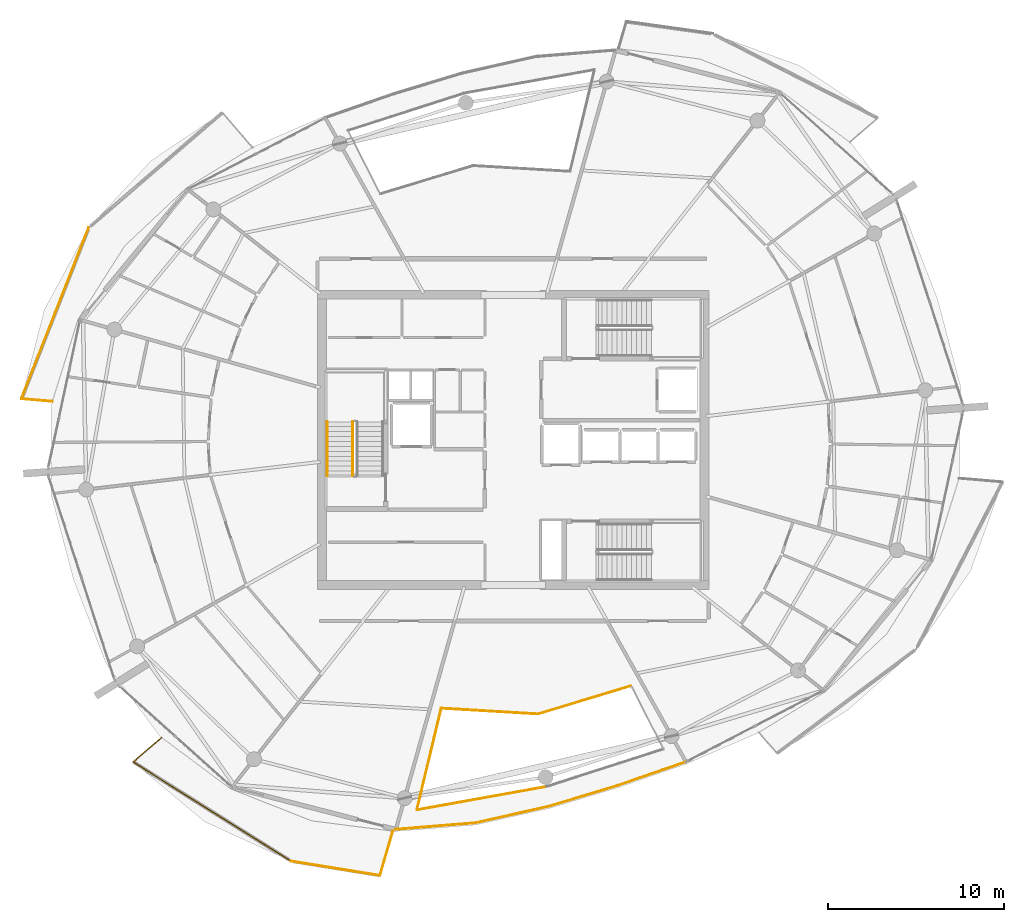
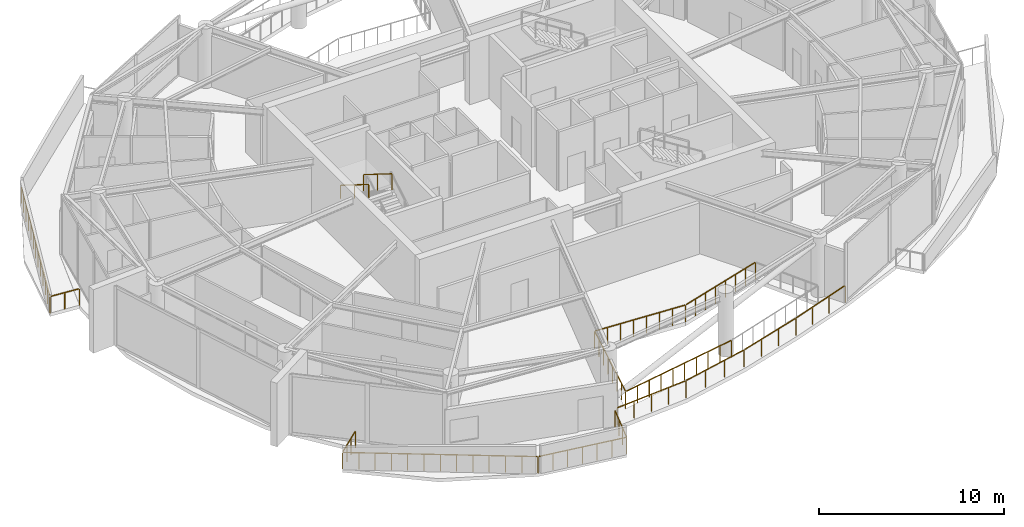
# One storey, part 18 of 22: 13 railings.
"""IFC4 building model written with IfcOpenShell, lengths in metres."""

import ifcopenshell
import ifcopenshell.guid

model = None  # the IFC model being written
_history = None  # IfcOwnerHistory: only IFC2X3 demands one
_inside = {}  # id of a spatial element -> (the spatial element, [elements in it])
_under = {}  # id of a project, library or spatial element -> (it, [spatial elements below it])
_declared = {}  # id of a project -> (the project, [libraries it declares])
_typed = {}  # id of a type object -> (the type object, [elements of that type])
_made_of = {}  # id of a material, layer set ... -> (it, [elements and type objects made of it])


def new_model(schema):
    """Start an empty IFC model of exactly this schema.

    Asked for "IFC4X3", IfcOpenShell would pick the latest addendum, in which some entities
    have other attributes; the version numbers below select the first issue.
    IFC2X3 requires an IfcOwnerHistory on every rooted entity: one is made here for all.
    """
    global model, _history
    if schema == "IFC4X3":
        model = ifcopenshell.file(schema_version=(4, 3, 0, 0))
    else:
        model = ifcopenshell.file(schema=schema)
    _inside.clear()
    _under.clear()
    _declared.clear()
    _typed.clear()
    _made_of.clear()
    _history = None
    if model.schema == "IFC2X3":
        org = make("IfcOrganization", Name="unknown")
        user = make(
            "IfcPersonAndOrganization",
            ThePerson=make("IfcPerson", FamilyName="unknown"),
            TheOrganization=org,
        )
        app = make(
            "IfcApplication",
            ApplicationDeveloper=org,
            Version="unknown",
            ApplicationFullName="unknown",
            ApplicationIdentifier="unknown",
        )
        _history = make(
            "IfcOwnerHistory",
            OwningUser=user,
            OwningApplication=app,
            ChangeAction="ADDED",
            CreationDate=0,
        )
    return model


def make(cls, **values):
    """One entity of the class cls with the attributes given. An attribute that is None is left unset."""
    return model.create_entity(
        cls, **{name: value for name, value in values.items() if value is not None}
    )


def rooted(cls, **values):
    """An entity with a GlobalId (a new one), such as an element, a storey or a relation."""
    return make(cls, GlobalId=ifcopenshell.guid.new(), OwnerHistory=_history, **values)


def si_unit(unit_type, name, prefix=None):
    """IfcSIUnit, for example si_unit("LENGTHUNIT", "METRE", prefix="MILLI")."""
    return make("IfcSIUnit", UnitType=unit_type, Prefix=prefix, Name=name)


def assignment(units):
    """IfcUnitAssignment: the units of a project."""
    return None if units is None else make("IfcUnitAssignment", Units=units)


def point(xyz):
    """IfcCartesianPoint."""
    return None if xyz is None else make("IfcCartesianPoint", Coordinates=xyz)


def direction(xyz):
    """IfcDirection."""
    return None if xyz is None else make("IfcDirection", DirectionRatios=xyz)


def frame(location, z_axis=None, x_axis=None):
    """IfcAxis2Placement3D, a coordinate frame: its origin and axes. An axis left out is left unset."""
    return make(
        "IfcAxis2Placement3D",
        Location=point(location),
        Axis=direction(z_axis),
        RefDirection=direction(x_axis),
    )


def frame_2d(location, x_axis=None):
    """IfcAxis2Placement2D, a coordinate frame in the plane: its origin and x axis."""
    return make(
        "IfcAxis2Placement2D", Location=point(location), RefDirection=direction(x_axis)
    )


def origin():
    """The frame at (0, 0, 0) with its axes left unset."""
    return frame((0.0, 0.0, 0.0))


def origin_2d():
    """The frame at (0, 0) in the plane with its x axis left unset."""
    return frame_2d((0.0, 0.0))


def place(relative_to, where):
    """IfcLocalPlacement: puts the frame where relative to a parent placement (None: the world)."""
    return make(
        "IfcLocalPlacement", PlacementRelTo=relative_to, RelativePlacement=where
    )


def context(
    kind, dimensions, precision=None, world=None, true_north=None, identifier=None
):
    """IfcGeometricRepresentationContext, for example the 3D "Model" context."""
    return make(
        "IfcGeometricRepresentationContext",
        ContextIdentifier=identifier,
        ContextType=kind,
        CoordinateSpaceDimension=dimensions,
        Precision=precision,
        WorldCoordinateSystem=world,
        TrueNorth=true_north,
    )


def subcontext(parent, identifier, kind, view, scale=None):
    """IfcGeometricRepresentationSubContext, for example "Body" below "Model"."""
    return make(
        "IfcGeometricRepresentationSubContext",
        ContextIdentifier=identifier,
        ContextType=kind,
        ParentContext=parent,
        TargetScale=scale,
        TargetView=view,
    )


def project(units=None, contexts=None):
    """IfcProject with its units and contexts."""
    return rooted(
        "IfcProject",
        Name="project",
        RepresentationContexts=contexts,
        UnitsInContext=assignment(units),
    )


def spatial(cls, under=None, at=None, **own):
    """A site, building, storey or space (cls), placed at a placement, below another one or the project."""
    s = rooted(cls, ObjectPlacement=at, **own)
    if under is not None:
        _under.setdefault(under.id(), (under, []))[1].append(s)
    return s


def profile(cls, at=None, kind="AREA", **sizes):
    """A parametric profile (cls). Its sizes go by their IFC names, for example OverallWidth=200.0."""
    return make(cls, ProfileType=kind, Position=at, **sizes)


def rectangle(**sizes):
    """IfcRectangleProfileDef."""
    return profile("IfcRectangleProfileDef", **sizes)


def extrude(swept, where, along, depth):
    """IfcExtrudedAreaSolid: the profile swept, set in the frame where, extruded along a direction by depth."""
    return make(
        "IfcExtrudedAreaSolid",
        SweptArea=swept,
        Position=where,
        ExtrudedDirection=direction(along),
        Depth=depth,
    )


def shape(context_of_items, identifier, shape_type, items):
    """IfcShapeRepresentation: the items that make up one representation, for example the "Body"."""
    return make(
        "IfcShapeRepresentation",
        ContextOfItems=context_of_items,
        RepresentationIdentifier=identifier,
        RepresentationType=shape_type,
        Items=items,
    )


def material(Name=None, Category=None):
    """IfcMaterial."""
    return make("IfcMaterial", Name=Name, Category=Category)


def made_of(thing, what):
    """Note that an element or type object is made of a material, layer set ...; save() writes the relation."""
    if what is not None:
        _made_of.setdefault(what.id(), (what, []))[1].append(thing)
    return thing


def type_object(cls, material=None, **own):
    """A type object (cls), such as IfcWallType, which elements share."""
    return made_of(rooted(cls, **own), material)


def element(
    cls,
    number,
    at=None,
    inside=None,
    cuts=None,
    type_object=None,
    material=None,
    context=None,
    identifier="Body",
    shape_type=None,
    held_by="IfcProductDefinitionShape",
    body=None,
    shapes=None,
    **own,
):
    """One element of the class cls, such as IfcWall. Its Tag is "e" and its number.

    at: its placement. inside: the storey or other place that contains it. cuts: it is an
    opening in that element (IfcRelVoidsElement). A single representation is given by context,
    identifier, shape_type and body (its items); several are given by shapes. held_by: the class
    of the entity that holds the representations. save() writes the other relations.
    """
    e = rooted(cls, Tag="e%d" % number, ObjectPlacement=at, **own)
    if body is not None:
        shapes = [shape(context, identifier, shape_type, body)]
    if shapes is not None:
        e.Representation = make(held_by, Representations=shapes)
    if inside is not None:
        _inside.setdefault(inside.id(), (inside, []))[1].append(e)
    if cuts is not None:
        rooted(
            "IfcRelVoidsElement", RelatingBuildingElement=cuts, RelatedOpeningElement=e
        )
    if type_object is not None:
        _typed.setdefault(type_object.id(), (type_object, []))[1].append(e)
    return made_of(e, material)


def aggregate(whole, parts):
    """IfcRelAggregates: a whole, such as a stair, and the parts it consists of."""
    return rooted("IfcRelAggregates", RelatingObject=whole, RelatedObjects=parts)


def save(model, path):
    """Write the relations noted so far, then the file.

    IfcRelAggregates (storeys below a building ...), IfcRelContainedInSpatialStructure (elements
    in a storey), IfcRelDefinesByType, IfcRelAssociatesMaterial and IfcRelDeclares: one each for
    every whole, place, type object, material and project.
    """
    for whole, parts in _under.values():
        aggregate(whole, parts)
    for where, things in _inside.values():
        rooted(
            "IfcRelContainedInSpatialStructure",
            RelatedElements=things,
            RelatingStructure=where,
        )
    for kind, things in _typed.values():
        rooted("IfcRelDefinesByType", RelatedObjects=things, RelatingType=kind)
    for what, things in _made_of.values():
        rooted("IfcRelAssociatesMaterial", RelatedObjects=things, RelatingMaterial=what)
    for by, libraries in _declared.values():
        rooted("IfcRelDeclares", RelatingContext=by, RelatedDefinitions=libraries)
    model.write(path)


model = new_model("IFC4")

# Units and contexts
model_context = context("Model", 3, precision=1e-05, world=origin(), true_north=direction((0.0, 1.0)))
body_context = subcontext(model_context, "Body", "Model", "MODEL_VIEW")
ifc_project = project(units=[si_unit("LENGTHUNIT", "METRE"), si_unit("AREAUNIT", "SQUARE_METRE"), si_unit("VOLUMEUNIT", "CUBIC_METRE"), si_unit("PLANEANGLEUNIT", "RADIAN"), si_unit("MASSUNIT", "GRAM", prefix="KILO")], contexts=[model_context])

# Site, building, storey
site_placement = place(None, origin())
site = spatial("IfcSite", under=ifc_project, at=site_placement, CompositionType="ELEMENT")
building_placement = place(site_placement, origin())
building = spatial("IfcBuilding", under=site, at=building_placement, Name="Kazma Halo Residences", CompositionType="ELEMENT")
storey_placement = place(building_placement, frame((0.0, 0.0, 334.699951171875)))
storey = spatial("IfcBuildingStorey", under=building, at=storey_placement, Name="L84", CompositionType="ELEMENT", Elevation=334.699951171875)

# Railings
ifc_material_1 = material(Name="Aluminium AW-6063 T6 Brushed Cap Rail", Category="aluminium")
railing_type_1 = type_object("IfcRailingType", Name="RLG-BAL-CAP-1120", PredefinedType="BALUSTRADE", material=ifc_material_1)
railing_1_placement = place(storey_placement, frame((24.28857421875, 54.08154296875, 0.0)))
element("IfcRailing", 1, at=railing_1_placement, inside=storey, type_object=railing_type_1, Name="L84 NW wave balcony guard 3", PredefinedType="BALUSTRADE", context=body_context, shape_type="SweptSolid", body=[
    extrude(rectangle(XDim=0.050048828125, YDim=0.050048828125, at=origin_2d()), frame((-0.015625, -0.03955078125, 1.09521484375), z_axis=(-0.365702873669, -0.930731652084, 0.0), x_axis=(0.930731652084, -0.365702873669, 0.0)), (0.0, 0.0, 1.0), 10.384765625),
    extrude(rectangle(XDim=0.0400390625, YDim=0.0400390625, at=origin_2d()), origin(), (0.0, 0.0, 1.0), 1.05810546875),
    extrude(rectangle(XDim=0.0400390625, YDim=0.0400390625, at=origin_2d()), frame((-0.319091796875, -0.81201171875, 0.0)), (0.0, 0.0, 1.0), 1.05810546875),
    extrude(rectangle(XDim=0.0400390625, YDim=0.0400390625, at=origin_2d()), frame((-0.63818359375, -1.6240234375, 0.0)), (0.0, 0.0, 1.0), 1.05810546875),
    extrude(rectangle(XDim=0.0400390625, YDim=0.0400390625, at=origin_2d()), frame((-0.957275390625, -2.43603515625, 0.0)), (0.0, 0.0, 1.0), 1.05810546875),
    extrude(rectangle(XDim=0.0400390625, YDim=0.0400390625, at=origin_2d()), frame((-1.2763671875, -3.248291015625, 0.0)), (0.0, 0.0, 1.0), 1.05810546875),
    extrude(rectangle(XDim=0.0400390625, YDim=0.0400390625, at=origin_2d()), frame((-1.595458984375, -4.060302734375, 0.0)), (0.0, 0.0, 1.0), 1.05810546875),
    extrude(rectangle(XDim=0.0400390625, YDim=0.0400390625, at=origin_2d()), frame((-1.91455078125, -4.872314453125, 0.0)), (0.0, 0.0, 1.0), 1.05810546875),
    extrude(rectangle(XDim=0.0400390625, YDim=0.0400390625, at=origin_2d()), frame((-2.2333984375, -5.684326171875, 0.0)), (0.0, 0.0, 1.0), 1.05810546875),
    extrude(rectangle(XDim=0.0400390625, YDim=0.0400390625, at=origin_2d()), frame((-2.552490234375, -6.496337890625, 0.0)), (0.0, 0.0, 1.0), 1.05810546875),
    extrude(rectangle(XDim=0.0400390625, YDim=0.0400390625, at=origin_2d()), frame((-2.87158203125, -7.30859375, 0.0)), (0.0, 0.0, 1.0), 1.05810546875),
    extrude(rectangle(XDim=0.0400390625, YDim=0.0400390625, at=origin_2d()), frame((-3.190673828125, -8.12060546875, 0.0)), (0.0, 0.0, 1.0), 1.05810546875),
    extrude(rectangle(XDim=0.0400390625, YDim=0.0400390625, at=origin_2d()), frame((-3.509765625, -8.9326171875, 0.0)), (0.0, 0.0, 1.0), 1.05810546875),
    extrude(rectangle(XDim=0.0400390625, YDim=0.0400390625, at=origin_2d()), frame((-3.828857421875, -9.74462890625, 0.0)), (0.0, 0.0, 1.0), 1.05810546875),
])
railing_2_placement = place(storey_placement, frame((20.459716796875, 44.3369140625, 0.0)))
element("IfcRailing", 2, at=railing_2_placement, inside=storey, type_object=railing_type_1, Name="L84 NW wave balcony guard 4", PredefinedType="BALUSTRADE", context=body_context, shape_type="SweptSolid", body=[
    extrude(rectangle(XDim=0.050048828125, YDim=0.050048828125, at=origin_2d()), frame((0.04248046875, -0.003662109375, 1.09521484375), z_axis=(0.996411238041, -0.084644224294, 0.0), x_axis=(0.084644224294, 0.996411238041, 0.0)), (0.0, 0.0, 1.0), 1.67138671875),
    extrude(rectangle(XDim=0.0400390625, YDim=0.0400390625, at=origin_2d()), origin(), (0.0, 0.0, 1.0), 1.05810546875),
    extrude(rectangle(XDim=0.0400390625, YDim=0.0400390625, at=origin_2d()), frame((0.875, -0.07421875, 0.0)), (0.0, 0.0, 1.0), 1.05810546875),
    extrude(rectangle(XDim=0.0400390625, YDim=0.0400390625, at=origin_2d()), frame((1.750244140625, -0.148681640625, 0.0)), (0.0, 0.0, 1.0), 1.05810546875),
])
railing_3_placement = place(storey_placement, frame((28.421630859375, 25.070556640625, 0.0)))
element("IfcRailing", 3, at=railing_3_placement, inside=storey, type_object=railing_type_1, Name="L84 SW wave balcony guard 1", PredefinedType="BALUSTRADE", context=body_context, shape_type="SweptSolid", body=[
    extrude(rectangle(XDim=0.050048828125, YDim=0.050048828125, at=origin_2d()), frame((-0.0322265625, -0.02783203125, 1.09521484375), z_axis=(-0.756446054748, -0.654056088005, 0.0), x_axis=(0.654056088005, -0.756446054748, 0.0)), (0.0, 0.0, 1.0), 2.041748046875),
    extrude(rectangle(XDim=0.0400390625, YDim=0.0400390625, at=origin_2d()), origin(), (0.0, 0.0, 1.0), 1.05810546875),
    extrude(rectangle(XDim=0.0400390625, YDim=0.0400390625, at=origin_2d()), frame((-0.536376953125, -0.463623046875, 0.0)), (0.0, 0.0, 1.0), 1.05810546875),
    extrude(rectangle(XDim=0.0400390625, YDim=0.0400390625, at=origin_2d()), frame((-1.072509765625, -0.927490234375, 0.0)), (0.0, 0.0, 1.0), 1.05810546875),
    extrude(rectangle(XDim=0.0400390625, YDim=0.0400390625, at=origin_2d()), frame((-1.60888671875, -1.39111328125, 0.0)), (0.0, 0.0, 1.0), 1.05810546875),
])
railing_4_placement = place(storey_placement, frame((26.812744140625, 23.679443359375, 0.0)))
element("IfcRailing", 4, at=railing_4_placement, inside=storey, type_object=railing_type_1, Name="L84 SW wave balcony guard 2", PredefinedType="BALUSTRADE", context=body_context, shape_type="SweptSolid", body=[
    extrude(rectangle(XDim=0.050048828125, YDim=0.050048828125, at=origin_2d()), frame((0.0361328125, -0.022705078125, 1.09521484375), z_axis=(0.846703529633, -0.53206497057, 0.0), x_axis=(0.53206497057, 0.846703529633, 0.0)), (0.0, 0.0, 1.0), 10.51806640625),
    extrude(rectangle(XDim=0.0400390625, YDim=0.0400390625, at=origin_2d()), origin(), (0.0, 0.0, 1.0), 1.05810546875),
    extrude(rectangle(XDim=0.0400390625, YDim=0.0400390625, at=origin_2d()), frame((0.748046875, -0.47021484375, 0.0)), (0.0, 0.0, 1.0), 1.05810546875),
    extrude(rectangle(XDim=0.0400390625, YDim=0.0400390625, at=origin_2d()), frame((1.496337890625, -0.940185546875, 0.0)), (0.0, 0.0, 1.0), 1.05810546875),
    extrude(rectangle(XDim=0.0400390625, YDim=0.0400390625, at=origin_2d()), frame((2.244384765625, -1.410400390625, 0.0)), (0.0, 0.0, 1.0), 1.05810546875),
    extrude(rectangle(XDim=0.0400390625, YDim=0.0400390625, at=origin_2d()), frame((2.99267578125, -1.880615234375, 0.0)), (0.0, 0.0, 1.0), 1.05810546875),
    extrude(rectangle(XDim=0.0400390625, YDim=0.0400390625, at=origin_2d()), frame((3.74072265625, -2.3505859375, 0.0)), (0.0, 0.0, 1.0), 1.05810546875),
    extrude(rectangle(XDim=0.0400390625, YDim=0.0400390625, at=origin_2d()), frame((4.48876953125, -2.82080078125, 0.0)), (0.0, 0.0, 1.0), 1.05810546875),
    extrude(rectangle(XDim=0.0400390625, YDim=0.0400390625, at=origin_2d()), frame((5.237060546875, -3.291015625, 0.0)), (0.0, 0.0, 1.0), 1.05810546875),
    extrude(rectangle(XDim=0.0400390625, YDim=0.0400390625, at=origin_2d()), frame((5.985107421875, -3.760986328125, 0.0)), (0.0, 0.0, 1.0), 1.05810546875),
    extrude(rectangle(XDim=0.0400390625, YDim=0.0400390625, at=origin_2d()), frame((6.7333984375, -4.231201171875, 0.0)), (0.0, 0.0, 1.0), 1.05810546875),
    extrude(rectangle(XDim=0.0400390625, YDim=0.0400390625, at=origin_2d()), frame((7.4814453125, -4.701416015625, 0.0)), (0.0, 0.0, 1.0), 1.05810546875),
    extrude(rectangle(XDim=0.0400390625, YDim=0.0400390625, at=origin_2d()), frame((8.229736328125, -5.17138671875, 0.0)), (0.0, 0.0, 1.0), 1.05810546875),
    extrude(rectangle(XDim=0.0400390625, YDim=0.0400390625, at=origin_2d()), frame((8.977783203125, -5.6416015625, 0.0)), (0.0, 0.0, 1.0), 1.05810546875),
])
railing_5_placement = place(storey_placement, frame((35.79052734375, 18.037841796875, 0.0)))
element("IfcRailing", 5, at=railing_5_placement, inside=storey, type_object=railing_type_1, Name="L84 SW wave balcony guard 3", PredefinedType="BALUSTRADE", context=body_context, shape_type="SweptSolid", body=[
    extrude(rectangle(XDim=0.050048828125, YDim=0.050048828125, at=origin_2d()), frame((0.0419921875, -0.0068359375, 1.09521484375), z_axis=(0.98729808768, -0.15887884083, 0.0), x_axis=(0.15887884083, 0.98729808768, 0.0)), (0.0, 0.0, 1.0), 5.0380859375),
    extrude(rectangle(XDim=0.0400390625, YDim=0.0400390625, at=origin_2d()), origin(), (0.0, 0.0, 1.0), 1.05810546875),
    extrude(rectangle(XDim=0.0400390625, YDim=0.0400390625, at=origin_2d()), frame((0.843017578125, -0.1357421875, 0.0)), (0.0, 0.0, 1.0), 1.05810546875),
    extrude(rectangle(XDim=0.0400390625, YDim=0.0400390625, at=origin_2d()), frame((1.68603515625, -0.271240234375, 0.0)), (0.0, 0.0, 1.0), 1.05810546875),
    extrude(rectangle(XDim=0.0400390625, YDim=0.0400390625, at=origin_2d()), frame((2.529052734375, -0.406982421875, 0.0)), (0.0, 0.0, 1.0), 1.05810546875),
    extrude(rectangle(XDim=0.0400390625, YDim=0.0400390625, at=origin_2d()), frame((3.3720703125, -0.542724609375, 0.0)), (0.0, 0.0, 1.0), 1.05810546875),
    extrude(rectangle(XDim=0.0400390625, YDim=0.0400390625, at=origin_2d()), frame((4.215087890625, -0.67822265625, 0.0)), (0.0, 0.0, 1.0), 1.05810546875),
    extrude(rectangle(XDim=0.0400390625, YDim=0.0400390625, at=origin_2d()), frame((5.05810546875, -0.81396484375, 0.0)), (0.0, 0.0, 1.0), 1.05810546875),
])
railing_6_placement = place(storey_placement, frame((40.8486328125, 17.223876953125, 0.0)))
element("IfcRailing", 6, at=railing_6_placement, inside=storey, type_object=railing_type_1, Name="L84 SW wave balcony guard 4", PredefinedType="BALUSTRADE", context=body_context, shape_type="SweptSolid", body=[
    extrude(rectangle(XDim=0.050048828125, YDim=0.050048828125, at=origin_2d()), frame((0.01171875, 0.040771484375, 1.09521484375), z_axis=(0.277348884116, 0.96076927328, 0.0), x_axis=(-0.96076927328, 0.277348884116, 0.0)), (0.0, 0.0, 1.0), 2.539794921875),
    extrude(rectangle(XDim=0.0400390625, YDim=0.0400390625, at=origin_2d()), origin(), (0.0, 0.0, 1.0), 1.05810546875),
    extrude(rectangle(XDim=0.0400390625, YDim=0.0400390625, at=origin_2d()), frame((0.24267578125, 0.840576171875, 0.0)), (0.0, 0.0, 1.0), 1.05810546875),
    extrude(rectangle(XDim=0.0400390625, YDim=0.0400390625, at=origin_2d()), frame((0.4853515625, 1.681396484375, 0.0)), (0.0, 0.0, 1.0), 1.05810546875),
    extrude(rectangle(XDim=0.0400390625, YDim=0.0400390625, at=origin_2d()), frame((0.72802734375, 2.52197265625, 0.0)), (0.0, 0.0, 1.0), 1.05810546875),
])
ifc_material_2 = material(Name="Brushed Stainless Steel and Laminated Glass", Category="steel")
railing_type_2 = type_object("IfcRailingType", Name="RLG-EXT-GUARD-1150", PredefinedType="GUARDRAIL", material=ifc_material_2)
railing_7_placement = place(storey_placement, frame((44.3349609375, 26.73388671875, 0.0)))
element("IfcRailing", 7, at=railing_7_placement, inside=storey, type_object=railing_type_2, Name="L84 upper wind-portal edge guard 2.1", PredefinedType="GUARDRAIL", context=body_context, shape_type="SweptSolid", body=[
    extrude(rectangle(XDim=0.050048828125, YDim=0.050048828125, at=origin_2d()), frame((0.04248046875, -0.00244140625, 1.125), z_axis=(0.998263068552, -0.058913886013, 0.0), x_axis=(0.058913886013, 0.998263068552, 0.0)), (0.0, 0.0, 1.0), 5.434814453125),
    extrude(rectangle(XDim=0.0400390625, YDim=0.0400390625, at=origin_2d()), origin(), (0.0, 0.0, 1.0), 1.087890625),
    extrude(rectangle(XDim=0.0400390625, YDim=0.0400390625, at=origin_2d()), frame((0.787109375, -0.04638671875, 0.0)), (0.0, 0.0, 1.0), 1.087890625),
    extrude(rectangle(XDim=0.0400390625, YDim=0.0400390625, at=origin_2d()), frame((1.574462890625, -0.093017578125, 0.0)), (0.0, 0.0, 1.0), 1.087890625),
    extrude(rectangle(XDim=0.0400390625, YDim=0.0400390625, at=origin_2d()), frame((2.361572265625, -0.139404296875, 0.0)), (0.0, 0.0, 1.0), 1.087890625),
    extrude(rectangle(XDim=0.0400390625, YDim=0.0400390625, at=origin_2d()), frame((3.148681640625, -0.185791015625, 0.0)), (0.0, 0.0, 1.0), 1.087890625),
    extrude(rectangle(XDim=0.0400390625, YDim=0.0400390625, at=origin_2d()), frame((3.935791015625, -0.232177734375, 0.0)), (0.0, 0.0, 1.0), 1.087890625),
    extrude(rectangle(XDim=0.0400390625, YDim=0.0400390625, at=origin_2d()), frame((4.72314453125, -0.27880859375, 0.0)), (0.0, 0.0, 1.0), 1.087890625),
    extrude(rectangle(XDim=0.0400390625, YDim=0.0400390625, at=origin_2d()), frame((5.51025390625, -0.3251953125, 0.0)), (0.0, 0.0, 1.0), 1.087890625),
])
railing_8_placement = place(storey_placement, frame((49.84521484375, 26.40869140625, 0.0)))
element("IfcRailing", 8, at=railing_8_placement, inside=storey, type_object=railing_type_2, Name="L84 upper wind-portal edge guard 2.2", PredefinedType="GUARDRAIL", context=body_context, shape_type="SweptSolid", body=[
    extrude(rectangle(XDim=0.050048828125, YDim=0.050048828125, at=origin_2d()), frame((0.040771484375, 0.012451171875, 1.125), z_axis=(0.956934342561, 0.290304433358, 0.0), x_axis=(-0.290304433358, 0.956934342561, 0.0)), (0.0, 0.0, 1.0), 5.43505859375),
    extrude(rectangle(XDim=0.0400390625, YDim=0.0400390625, at=origin_2d()), origin(), (0.0, 0.0, 1.0), 1.087890625),
    extrude(rectangle(XDim=0.0400390625, YDim=0.0400390625, at=origin_2d()), frame((0.754638671875, 0.22900390625, 0.0)), (0.0, 0.0, 1.0), 1.087890625),
    extrude(rectangle(XDim=0.0400390625, YDim=0.0400390625, at=origin_2d()), frame((1.50927734375, 0.457763671875, 0.0)), (0.0, 0.0, 1.0), 1.087890625),
    extrude(rectangle(XDim=0.0400390625, YDim=0.0400390625, at=origin_2d()), frame((2.263916015625, 0.686767578125, 0.0)), (0.0, 0.0, 1.0), 1.087890625),
    extrude(rectangle(XDim=0.0400390625, YDim=0.0400390625, at=origin_2d()), frame((3.0185546875, 0.915771484375, 0.0)), (0.0, 0.0, 1.0), 1.087890625),
    extrude(rectangle(XDim=0.0400390625, YDim=0.0400390625, at=origin_2d()), frame((3.773193359375, 1.144775390625, 0.0)), (0.0, 0.0, 1.0), 1.087890625),
    extrude(rectangle(XDim=0.0400390625, YDim=0.0400390625, at=origin_2d()), frame((4.52783203125, 1.37353515625, 0.0)), (0.0, 0.0, 1.0), 1.087890625),
    extrude(rectangle(XDim=0.0400390625, YDim=0.0400390625, at=origin_2d()), frame((5.282470703125, 1.6025390625, 0.0)), (0.0, 0.0, 1.0), 1.087890625),
])
railing_9_placement = place(storey_placement, frame((50.333984375, 22.2802734375, 0.0)))
element("IfcRailing", 9, at=railing_9_placement, inside=storey, type_object=railing_type_2, Name="L84 upper wind-portal edge guard 2.5", PredefinedType="GUARDRAIL", context=body_context, shape_type="SweptSolid", body=[
    extrude(rectangle(XDim=0.050048828125, YDim=0.050048828125, at=origin_2d()), frame((-0.0419921875, -0.007568359375, 1.125), z_axis=(-0.984235798799, -0.176861223455, 0.0), x_axis=(0.176861223455, -0.984235798799, 0.0)), (0.0, 0.0, 1.0), 7.420166015625),
    extrude(rectangle(XDim=0.0400390625, YDim=0.0400390625, at=origin_2d()), origin(), (0.0, 0.0, 1.0), 1.087890625),
    extrude(rectangle(XDim=0.0400390625, YDim=0.0400390625, at=origin_2d()), frame((-0.82080078125, -0.1474609375, 0.0)), (0.0, 0.0, 1.0), 1.087890625),
    extrude(rectangle(XDim=0.0400390625, YDim=0.0400390625, at=origin_2d()), frame((-1.6416015625, -0.294921875, 0.0)), (0.0, 0.0, 1.0), 1.087890625),
    extrude(rectangle(XDim=0.0400390625, YDim=0.0400390625, at=origin_2d()), frame((-2.46240234375, -0.4423828125, 0.0)), (0.0, 0.0, 1.0), 1.087890625),
    extrude(rectangle(XDim=0.0400390625, YDim=0.0400390625, at=origin_2d()), frame((-3.283203125, -0.58984375, 0.0)), (0.0, 0.0, 1.0), 1.087890625),
    extrude(rectangle(XDim=0.0400390625, YDim=0.0400390625, at=origin_2d()), frame((-4.103759765625, -0.737548828125, 0.0)), (0.0, 0.0, 1.0), 1.087890625),
    extrude(rectangle(XDim=0.0400390625, YDim=0.0400390625, at=origin_2d()), frame((-4.924560546875, -0.885009765625, 0.0)), (0.0, 0.0, 1.0), 1.087890625),
    extrude(rectangle(XDim=0.0400390625, YDim=0.0400390625, at=origin_2d()), frame((-5.745361328125, -1.032470703125, 0.0)), (0.0, 0.0, 1.0), 1.087890625),
    extrude(rectangle(XDim=0.0400390625, YDim=0.0400390625, at=origin_2d()), frame((-6.566162109375, -1.179931640625, 0.0)), (0.0, 0.0, 1.0), 1.087890625),
    extrude(rectangle(XDim=0.0400390625, YDim=0.0400390625, at=origin_2d()), frame((-7.386962890625, -1.327392578125, 0.0)), (0.0, 0.0, 1.0), 1.087890625),
])
railing_10_placement = place(storey_placement, frame((42.947021484375, 20.952880859375, 0.0)))
element("IfcRailing", 10, at=railing_10_placement, inside=storey, type_object=railing_type_2, Name="L84 upper wind-portal edge guard 2.6", PredefinedType="GUARDRAIL", context=body_context, shape_type="SweptSolid", body=[
    extrude(rectangle(XDim=0.050048828125, YDim=0.050048828125, at=origin_2d()), frame((0.010009765625, 0.041259765625, 1.125), z_axis=(0.233452160997, 0.972368288523, 0.0), x_axis=(-0.972368288523, 0.233452160997, 0.0)), (0.0, 0.0, 1.0), 5.860107421875),
    extrude(rectangle(XDim=0.0400390625, YDim=0.0400390625, at=origin_2d()), origin(), (0.0, 0.0, 1.0), 1.087890625),
    extrude(rectangle(XDim=0.0400390625, YDim=0.0400390625, at=origin_2d()), frame((0.1982421875, 0.825927734375, 0.0)), (0.0, 0.0, 1.0), 1.087890625),
    extrude(rectangle(XDim=0.0400390625, YDim=0.0400390625, at=origin_2d()), frame((0.396484375, 1.651611328125, 0.0)), (0.0, 0.0, 1.0), 1.087890625),
    extrude(rectangle(XDim=0.0400390625, YDim=0.0400390625, at=origin_2d()), frame((0.5947265625, 2.4775390625, 0.0)), (0.0, 0.0, 1.0), 1.087890625),
    extrude(rectangle(XDim=0.0400390625, YDim=0.0400390625, at=origin_2d()), frame((0.793212890625, 3.303466796875, 0.0)), (0.0, 0.0, 1.0), 1.087890625),
    extrude(rectangle(XDim=0.0400390625, YDim=0.0400390625, at=origin_2d()), frame((0.991455078125, 4.12939453125, 0.0)), (0.0, 0.0, 1.0), 1.087890625),
    extrude(rectangle(XDim=0.0400390625, YDim=0.0400390625, at=origin_2d()), frame((1.189697265625, 4.955078125, 0.0)), (0.0, 0.0, 1.0), 1.087890625),
    extrude(rectangle(XDim=0.0400390625, YDim=0.0400390625, at=origin_2d()), frame((1.387939453125, 5.781005859375, 0.0)), (0.0, 0.0, 1.0), 1.087890625),
])
railing_11_placement = place(storey_placement, frame((41.751953125, 19.84619140625, 0.0)))
element("IfcRailing", 11, at=railing_11_placement, inside=storey, type_object=railing_type_2, Name="L84 upper wind-portal outer rim guard 2", PredefinedType="GUARDRAIL", context=body_context, shape_type="SweptSolid", body=[
    extrude(rectangle(XDim=0.050048828125, YDim=0.050048828125, at=origin_2d()), frame((0.04248046875, 0.00341796875, 1.125), z_axis=(0.996709972845, 0.081050786741, 0.0), x_axis=(-0.081050786741, 0.996709972845, 0.0)), (0.0, 0.0, 1.0), 4.46337890625),
    extrude(rectangle(XDim=0.050048828125, YDim=0.050048828125, at=origin_2d()), frame((4.574951171875, 0.3779296875, 1.125), z_axis=(0.975482432849, 0.220077311878, 0.0), x_axis=(-0.220077311878, 0.975482432849, 0.0)), (0.0, 0.0, 1.0), 4.201416015625),
    extrude(rectangle(XDim=0.050048828125, YDim=0.050048828125, at=origin_2d()), frame((8.755615234375, 1.32421875, 1.125), z_axis=(0.957126127976, 0.289671495225, 0.0), x_axis=(-0.289671495225, 0.957126127976, 0.0)), (0.0, 0.0, 1.0), 4.01025390625),
    extrude(rectangle(XDim=0.050048828125, YDim=0.050048828125, at=origin_2d()), frame((12.6748046875, 2.51220703125, 1.125), z_axis=(0.944594872531, 0.328238521184, 0.0), x_axis=(-0.328238521184, 0.944594872531, 0.0)), (0.0, 0.0, 1.0), 4.01025390625),
    extrude(rectangle(XDim=0.0400390625, YDim=0.0400390625, at=origin_2d()), origin(), (0.0, 0.0, 1.0), 1.087890625),
    extrude(rectangle(XDim=0.0400390625, YDim=0.0400390625, at=origin_2d()), frame((1.13330078125, 0.09228515625, 0.0)), (0.0, 0.0, 1.0), 1.087890625),
    extrude(rectangle(XDim=0.0400390625, YDim=0.0400390625, at=origin_2d()), frame((2.2666015625, 0.184326171875, 0.0)), (0.0, 0.0, 1.0), 1.087890625),
    extrude(rectangle(XDim=0.0400390625, YDim=0.0400390625, at=origin_2d()), frame((3.400146484375, 0.2763671875, 0.0)), (0.0, 0.0, 1.0), 1.087890625),
    extrude(rectangle(XDim=0.0400390625, YDim=0.0400390625, at=origin_2d()), frame((4.533447265625, 0.36865234375, 0.0)), (0.0, 0.0, 1.0), 1.087890625),
    extrude(rectangle(XDim=0.0400390625, YDim=0.0400390625, at=origin_2d()), frame((5.92724609375, 0.68310546875, 0.0)), (0.0, 0.0, 1.0), 1.087890625),
    extrude(rectangle(XDim=0.0400390625, YDim=0.0400390625, at=origin_2d()), frame((7.321044921875, 0.99755859375, 0.0)), (0.0, 0.0, 1.0), 1.087890625),
    extrude(rectangle(XDim=0.0400390625, YDim=0.0400390625, at=origin_2d()), frame((8.71484375, 1.31201171875, 0.0)), (0.0, 0.0, 1.0), 1.087890625),
    extrude(rectangle(XDim=0.0400390625, YDim=0.0400390625, at=origin_2d()), frame((10.021484375, 1.70751953125, 0.0)), (0.0, 0.0, 1.0), 1.087890625),
    extrude(rectangle(XDim=0.0400390625, YDim=0.0400390625, at=origin_2d()), frame((11.327880859375, 2.102783203125, 0.0)), (0.0, 0.0, 1.0), 1.087890625),
    extrude(rectangle(XDim=0.0400390625, YDim=0.0400390625, at=origin_2d()), frame((12.634521484375, 2.498291015625, 0.0)), (0.0, 0.0, 1.0), 1.087890625),
    extrude(rectangle(XDim=0.0400390625, YDim=0.0400390625, at=origin_2d()), frame((13.924072265625, 2.9462890625, 0.0)), (0.0, 0.0, 1.0), 1.087890625),
    extrude(rectangle(XDim=0.0400390625, YDim=0.0400390625, at=origin_2d()), frame((15.21337890625, 3.39453125, 0.0)), (0.0, 0.0, 1.0), 1.087890625),
    extrude(rectangle(XDim=0.0400390625, YDim=0.0400390625, at=origin_2d()), frame((16.5029296875, 3.842529296875, 0.0)), (0.0, 0.0, 1.0), 1.087890625),
])
ifc_material_3 = material(Name="Painted Steel S355", Category="steel")
railing_type_3 = type_object("IfcRailingType", Name="RLG-STAIR-GRD-1100", PredefinedType="GUARDRAIL", material=ifc_material_3)
railing_12_placement = place(storey_placement, frame((39.300048828125, 43.030029296875, 2.275146484375)))
element("IfcRailing", 12, at=railing_12_placement, inside=storey, type_object=railing_type_3, Name="L84 ST-01 stair guard 3", PredefinedType="GUARDRAIL", context=body_context, shape_type="SweptSolid", body=[
    extrude(rectangle(XDim=0.050048828125, YDim=0.050048828125, at=origin_2d()), frame((0.0, -0.0361328125, 1.09765625), z_axis=(0.0, -0.848028513186, 0.529950602248), x_axis=(1.0, 0.0, 0.0)), (0.0, 0.0, 1.0), 3.546875),
    extrude(rectangle(XDim=0.0400390625, YDim=0.0400390625, at=origin_2d()), origin(), (0.0, 0.0, 1.0), 1.0380859375),
    extrude(rectangle(XDim=0.0400390625, YDim=0.0400390625, at=origin_2d()), frame((0.0, -1.5400390625, 0.96240234375)), (0.0, 0.0, 1.0), 1.0380859375),
    extrude(rectangle(XDim=0.0400390625, YDim=0.0400390625, at=origin_2d()), frame((0.0, -3.080078125, 1.9248046875)), (0.0, 0.0, 1.0), 1.0380859375),
])
ifc_material_4 = material(Name="Brushed Stainless Steel", Category="steel")
railing_type_4 = type_object("IfcRailingType", Name="RLG-STAIR-HND-900", PredefinedType="HANDRAIL", material=ifc_material_4)
railing_13_placement = place(storey_placement, frame((37.85009765625, 43.030029296875, 2.275146484375)))
element("IfcRailing", 13, at=railing_13_placement, inside=storey, type_object=railing_type_4, Name="L84 ST-01 stair handrail 2", PredefinedType="HANDRAIL", context=body_context, shape_type="SweptSolid", body=[
    extrude(rectangle(XDim=0.050048828125, YDim=0.050048828125, at=origin_2d()), frame((0.0, -0.0361328125, 0.8974609375), z_axis=(0.0, -0.848028513186, 0.529950602248), x_axis=(1.0, 0.0, 0.0)), (0.0, 0.0, 1.0), 3.546875),
    extrude(rectangle(XDim=0.0400390625, YDim=0.0400390625, at=origin_2d()), origin(), (0.0, 0.0, 1.0), 0.837890625),
    extrude(rectangle(XDim=0.0400390625, YDim=0.0400390625, at=origin_2d()), frame((0.0, -1.5400390625, 0.96240234375)), (0.0, 0.0, 1.0), 0.837890625),
    extrude(rectangle(XDim=0.0400390625, YDim=0.0400390625, at=origin_2d()), frame((0.0, -3.080078125, 1.9248046875)), (0.0, 0.0, 1.0), 0.837890625),
])

save(model, "model.ifc")
